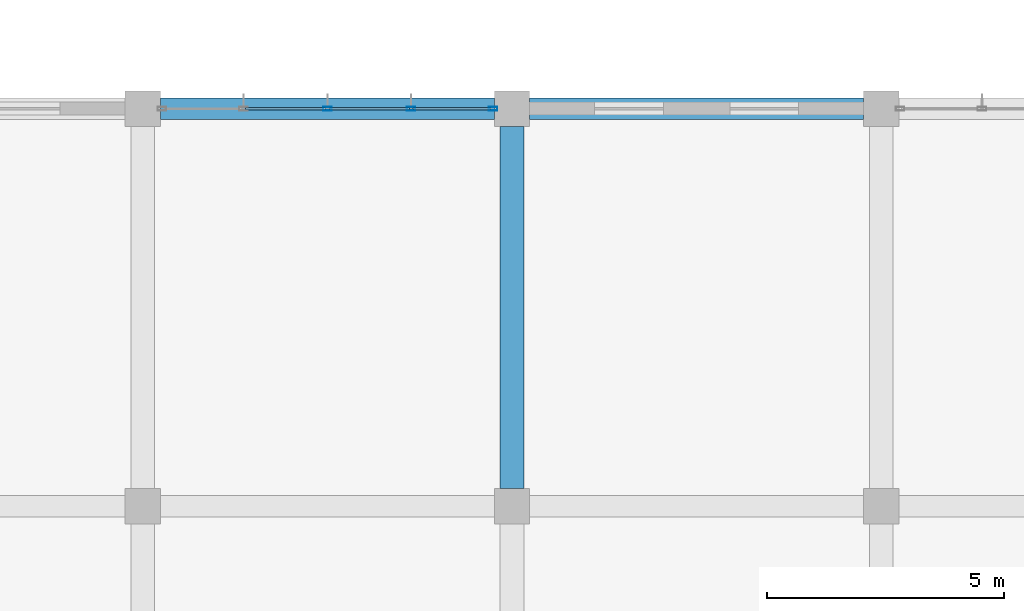
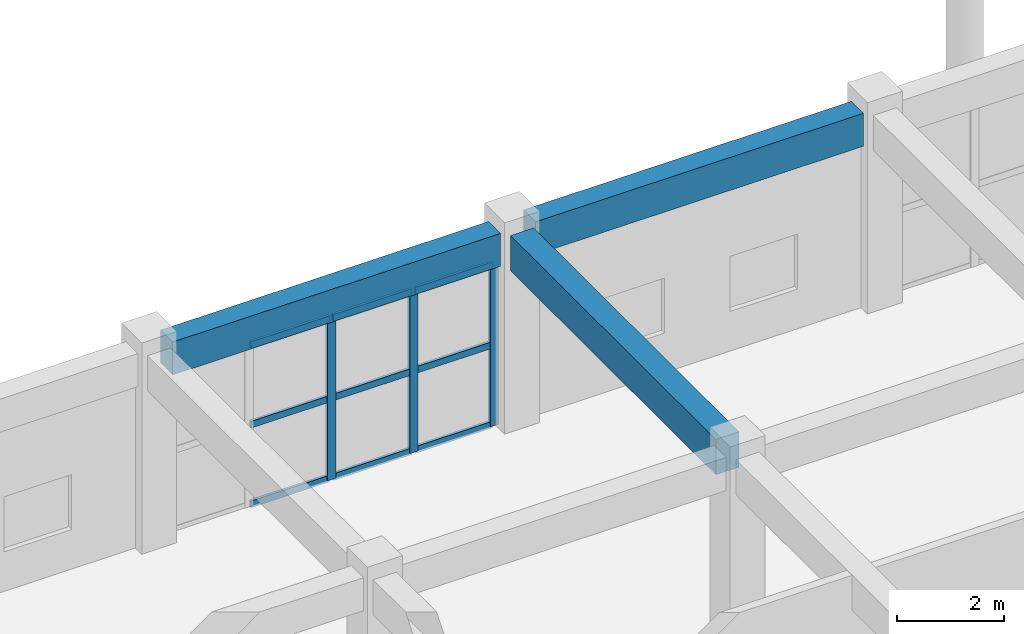
# One storey, part 127 of 175: 12 members, 3 beams, 1 element without a shape of its own.
"""IFC4 building model written with IfcOpenShell, lengths in metres."""

from ifc_helpers import new_model, si_unit, direction, frame, origin, origin_2d, place, context, subcontext, project, spatial, rectangle, hollow_rectangle, extrude, material, layer, layer_set, material_profile, profile_set, type_object, element, aggregate, save


model = new_model("IFC4")

# Units and contexts
model_context = context("Model", 3, precision=1e-05, world=origin(), true_north=direction((0.0, 1.0)))
body_context = subcontext(model_context, "Body", "Model", "MODEL_VIEW")
ifc_project = project(units=[si_unit("LENGTHUNIT", "METRE"), si_unit("AREAUNIT", "SQUARE_METRE"), si_unit("VOLUMEUNIT", "CUBIC_METRE"), si_unit("PLANEANGLEUNIT", "RADIAN"), si_unit("MASSUNIT", "GRAM", prefix="KILO")], contexts=[model_context])

# Site, building, storey
site_placement = place(None, origin())
site = spatial("IfcSite", under=ifc_project, at=site_placement, CompositionType="ELEMENT")
building_placement = place(site_placement, origin())
building = spatial("IfcBuilding", under=site, at=building_placement, Name="Zizhar Promenade General Hospital", CompositionType="ELEMENT")
storey_placement = place(building_placement, frame((0.0, 0.0, 4.800048828125)))
storey = spatial("IfcBuildingStorey", under=building, at=storey_placement, Name="L01", CompositionType="ELEMENT", Elevation=4.800048828125)

# Beams
ifc_material_1 = material(Name="Concrete C35/45", Category="concrete")
ifc_material_profile_1 = material_profile(ifc_material_1, rectangle(XDim=0.449951171875, YDim=0.75, at=origin_2d()))
ifc_profile_set_1 = profile_set([ifc_material_profile_1], Name="Concrete C35/45")
beam_type_1 = type_object("IfcBeamType", Name="BM-RC-450x750", PredefinedType="BEAM", material=ifc_profile_set_1)
for number, where, z_axis, x_axis, name in (
    (1, (101.77490234375, 134.39990234375, 4.094970703125), (1.0, 0.0, 0.0), (0.0, 1.0, 0.0), "Grid Beam X L01 (13-16)"),
    (2, (109.574951171875, 134.39990234375, 4.094970703125), (1.0, 0.0, 0.0), (0.0, 1.0, 0.0), "Grid Beam X L01 (14-16)"),
):
    element("IfcBeam", number, at=place(storey_placement, frame(where, z_axis=z_axis, x_axis=x_axis)), inside=storey, type_object=beam_type_1, Name=name, PredefinedType="BEAM", context=body_context, shape_type="SweptSolid", body=[
        extrude(rectangle(XDim=0.449951171875, YDim=0.75, at=origin_2d()), origin(), (0.0, 0.0, 1.0), 7.050048828125),
    ])
ifc_material_2 = material(Name="Concrete C35/45", Category="concrete")
ifc_material_profile_2 = material_profile(ifc_material_2, rectangle(XDim=0.5, YDim=0.800048828125, at=origin_2d()))
ifc_profile_set_2 = profile_set([ifc_material_profile_2], Name="Concrete C35/45")
beam_type_2 = type_object("IfcBeamType", Name="BM-RC-500x800", PredefinedType="BEAM", material=ifc_profile_set_2)
beam_placement = place(storey_placement, frame((109.199951171875, 126.375, 4.070068359375), z_axis=(0.0, 1.0, 0.0), x_axis=(-1.0, 0.0, 0.0)))
element("IfcBeam", 3, at=beam_placement, inside=storey, type_object=beam_type_2, Name="Grid Beam Y L01 (14-15)", PredefinedType="BEAM", context=body_context, shape_type="SweptSolid", body=[
    extrude(rectangle(XDim=0.5, YDim=0.800048828125, at=origin_2d()), origin(), (0.0, 0.0, 1.0), 7.64990234375),
])

# Curtain wall, members
ifc_material_3 = material(Name="Anodised aluminium 6063-T6 and low-E glass", Category="aluminium")
ifc_layer = layer(ifc_material_3, 0.159912109375)
ifc_layer_set = layer_set([ifc_layer], Name="Anodised aluminium 6063-T6 and low-E glass")
curtain_wall_type = type_object("IfcCurtainWallType", Name="CW-DT-MOD2", PredefinedType="NOTDEFINED", material=ifc_layer_set)
curtain_wall_placement = place(storey_placement, origin())
curtain_wall = element("IfcCurtainWall", 4, at=curtain_wall_placement, inside=storey, type_object=curtain_wall_type, Name="Surgical North Glazed Curtain Wall L01-13", PredefinedType="NOTDEFINED")
ifc_material_4 = material(Name="Anodised aluminium 6063-T6", Category="aluminium")
ifc_material_profile_3 = material_profile(ifc_material_4, hollow_rectangle(XDim=0.080078125, YDim=0.179931640625, WallThickness=0.0048828125, at=origin_2d()))
ifc_profile_set_3 = profile_set([ifc_material_profile_3], Name="Anodised aluminium 6063-T6")
member_type_1 = type_object("IfcMemberType", Name="CWM-ALU-180x80", PredefinedType="MULLION", material=ifc_profile_set_3)
member_1_placement = place(storey_placement, frame((105.300048828125, 134.39990234375, 0.0), z_axis=(0.0, 0.0, 1.0), x_axis=(0.0, 1.0, 0.0)))
member_1 = element("IfcMember", 5, at=member_1_placement, type_object=member_type_1, Name="CW-08 mullion 3", PredefinedType="MULLION", context=body_context, shape_type="SweptSolid", body=[
    extrude(hollow_rectangle(XDim=0.080078125, YDim=0.179931640625, WallThickness=0.0048828125, at=origin_2d()), origin(), (0.0, 0.0, 1.0), 3.679931640625),
])
member_2_placement = place(storey_placement, frame((107.070068359375, 134.39990234375, 0.0), z_axis=(0.0, 0.0, 1.0), x_axis=(0.0, 1.0, 0.0)))
member_2 = element("IfcMember", 6, at=member_2_placement, type_object=member_type_1, Name="CW-08 mullion 4", PredefinedType="MULLION", context=body_context, shape_type="SweptSolid", body=[
    extrude(hollow_rectangle(XDim=0.080078125, YDim=0.179931640625, WallThickness=0.0048828125, at=origin_2d()), origin(), (0.0, 0.0, 1.0), 3.679931640625),
])
member_3_placement = place(storey_placement, frame((108.800048828125, 134.39990234375, 0.0), z_axis=(0.0, 0.0, 1.0), x_axis=(0.0, 1.0, 0.0)))
member_3 = element("IfcMember", 7, at=member_3_placement, type_object=member_type_1, Name="CW-08 mullion 5", PredefinedType="MULLION", context=body_context, shape_type="SweptSolid", body=[
    extrude(hollow_rectangle(XDim=0.080078125, YDim=0.179931640625, WallThickness=0.0048828125, at=origin_2d()), origin(), (0.0, 0.0, 1.0), 3.679931640625),
])
ifc_material_5 = material(Name="Anodised aluminium 6063-T6", Category="aluminium")
ifc_material_profile_4 = material_profile(ifc_material_5, hollow_rectangle(XDim=0.06005859375, YDim=0.14990234375, WallThickness=0.00390625, at=origin_2d()))
ifc_profile_set_4 = profile_set([ifc_material_profile_4], Name="Anodised aluminium 6063-T6")
member_type_2 = type_object("IfcMemberType", Name="CWT-ALU-150x60", PredefinedType="USERDEFINED", material=ifc_profile_set_4)
member_4_placement = place(storey_placement, frame((103.570068359375, 134.39990234375, 0.030029296875), z_axis=(1.0, 0.0, 0.0), x_axis=(0.0, 1.0, 0.0)))
member_4 = element("IfcMember", 8, at=member_4_placement, type_object=member_type_2, Name="CW-08 transom 2.1", ObjectType="TRANSOM", PredefinedType="USERDEFINED", context=body_context, shape_type="SweptSolid", body=[
    extrude(hollow_rectangle(XDim=0.06005859375, YDim=0.14990234375, WallThickness=0.00390625, at=origin_2d()), origin(), (0.0, 0.0, 1.0), 1.68994140625),
])
member_5_placement = place(storey_placement, frame((103.570068359375, 134.39990234375, 1.83984375), z_axis=(1.0, 0.0, 0.0), x_axis=(0.0, 1.0, 0.0)))
member_5 = element("IfcMember", 9, at=member_5_placement, type_object=member_type_2, Name="CW-08 transom 2.2", ObjectType="TRANSOM", PredefinedType="USERDEFINED", context=body_context, shape_type="SweptSolid", body=[
    extrude(hollow_rectangle(XDim=0.06005859375, YDim=0.14990234375, WallThickness=0.00390625, at=origin_2d()), origin(), (0.0, 0.0, 1.0), 1.68994140625),
])
member_6_placement = place(storey_placement, frame((103.570068359375, 134.39990234375, 3.64990234375), z_axis=(1.0, 0.0, 0.0), x_axis=(0.0, 1.0, 0.0)))
member_6 = element("IfcMember", 10, at=member_6_placement, type_object=member_type_2, Name="CW-08 transom 2.3", ObjectType="TRANSOM", PredefinedType="USERDEFINED", context=body_context, shape_type="SweptSolid", body=[
    extrude(hollow_rectangle(XDim=0.06005859375, YDim=0.14990234375, WallThickness=0.00390625, at=origin_2d()), origin(), (0.0, 0.0, 1.0), 1.68994140625),
])
member_7_placement = place(storey_placement, frame((105.340087890625, 134.39990234375, 0.030029296875), z_axis=(1.0, 0.0, 0.0), x_axis=(0.0, 1.0, 0.0)))
member_7 = element("IfcMember", 11, at=member_7_placement, type_object=member_type_2, Name="CW-08 transom 3.1", ObjectType="TRANSOM", PredefinedType="USERDEFINED", context=body_context, shape_type="SweptSolid", body=[
    extrude(hollow_rectangle(XDim=0.06005859375, YDim=0.14990234375, WallThickness=0.00390625, at=origin_2d()), origin(), (0.0, 0.0, 1.0), 1.68994140625),
])
member_8_placement = place(storey_placement, frame((105.340087890625, 134.39990234375, 1.83984375), z_axis=(1.0, 0.0, 0.0), x_axis=(0.0, 1.0, 0.0)))
member_8 = element("IfcMember", 12, at=member_8_placement, type_object=member_type_2, Name="CW-08 transom 3.2", ObjectType="TRANSOM", PredefinedType="USERDEFINED", context=body_context, shape_type="SweptSolid", body=[
    extrude(hollow_rectangle(XDim=0.06005859375, YDim=0.14990234375, WallThickness=0.00390625, at=origin_2d()), origin(), (0.0, 0.0, 1.0), 1.68994140625),
])
member_9_placement = place(storey_placement, frame((105.340087890625, 134.39990234375, 3.64990234375), z_axis=(1.0, 0.0, 0.0), x_axis=(0.0, 1.0, 0.0)))
member_9 = element("IfcMember", 13, at=member_9_placement, type_object=member_type_2, Name="CW-08 transom 3.3", ObjectType="TRANSOM", PredefinedType="USERDEFINED", context=body_context, shape_type="SweptSolid", body=[
    extrude(hollow_rectangle(XDim=0.06005859375, YDim=0.14990234375, WallThickness=0.00390625, at=origin_2d()), origin(), (0.0, 0.0, 1.0), 1.68994140625),
])
member_10_placement = place(storey_placement, frame((107.110107421875, 134.39990234375, 0.030029296875), z_axis=(1.0, 0.0, 0.0), x_axis=(0.0, 1.0, 0.0)))
member_10 = element("IfcMember", 14, at=member_10_placement, type_object=member_type_2, Name="CW-08 transom 4.1", ObjectType="TRANSOM", PredefinedType="USERDEFINED", context=body_context, shape_type="SweptSolid", body=[
    extrude(hollow_rectangle(XDim=0.06005859375, YDim=0.14990234375, WallThickness=0.00390625, at=origin_2d()), origin(), (0.0, 0.0, 1.0), 1.64990234375),
])
member_11_placement = place(storey_placement, frame((107.110107421875, 134.39990234375, 1.83984375), z_axis=(1.0, 0.0, 0.0), x_axis=(0.0, 1.0, 0.0)))
member_11 = element("IfcMember", 15, at=member_11_placement, type_object=member_type_2, Name="CW-08 transom 4.2", ObjectType="TRANSOM", PredefinedType="USERDEFINED", context=body_context, shape_type="SweptSolid", body=[
    extrude(hollow_rectangle(XDim=0.06005859375, YDim=0.14990234375, WallThickness=0.00390625, at=origin_2d()), origin(), (0.0, 0.0, 1.0), 1.64990234375),
])
member_12_placement = place(storey_placement, frame((107.110107421875, 134.39990234375, 3.64990234375), z_axis=(1.0, 0.0, 0.0), x_axis=(0.0, 1.0, 0.0)))
member_12 = element("IfcMember", 16, at=member_12_placement, type_object=member_type_2, Name="CW-08 transom 4.3", ObjectType="TRANSOM", PredefinedType="USERDEFINED", context=body_context, shape_type="SweptSolid", body=[
    extrude(hollow_rectangle(XDim=0.06005859375, YDim=0.14990234375, WallThickness=0.00390625, at=origin_2d()), origin(), (0.0, 0.0, 1.0), 1.64990234375),
])
aggregate(curtain_wall, [member_1, member_2, member_3, member_4, member_5, member_6, member_7, member_8, member_9, member_10, member_11, member_12])

save(model, "model.ifc")
